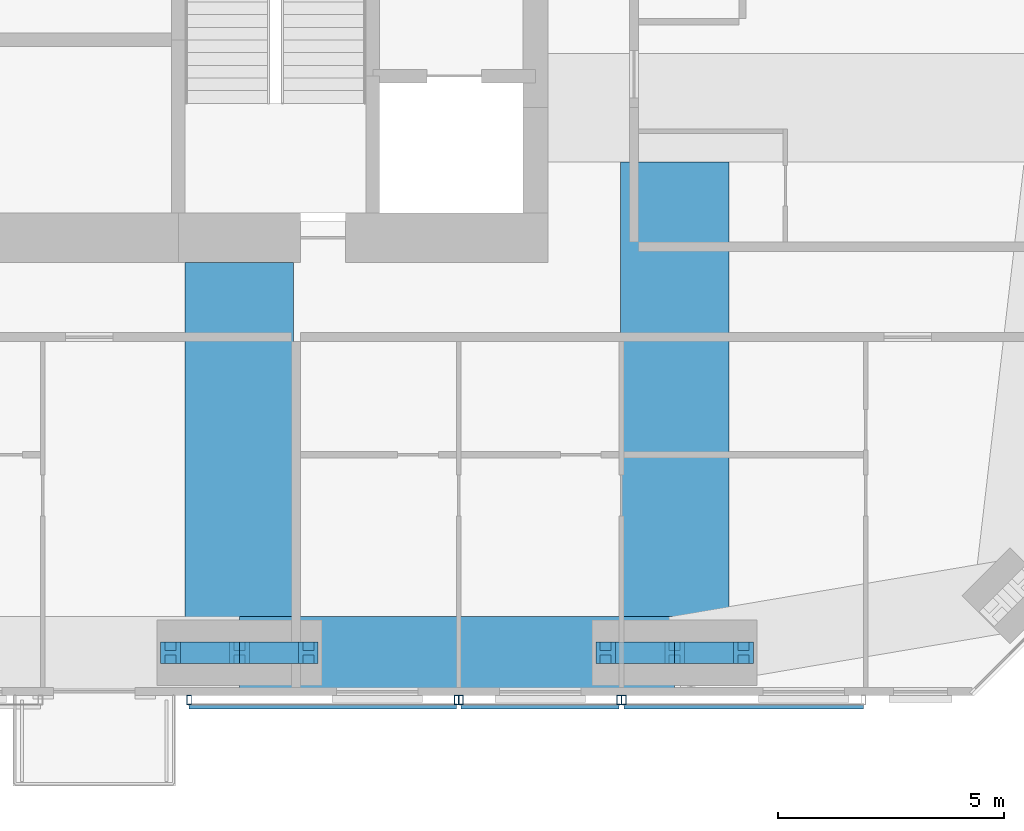
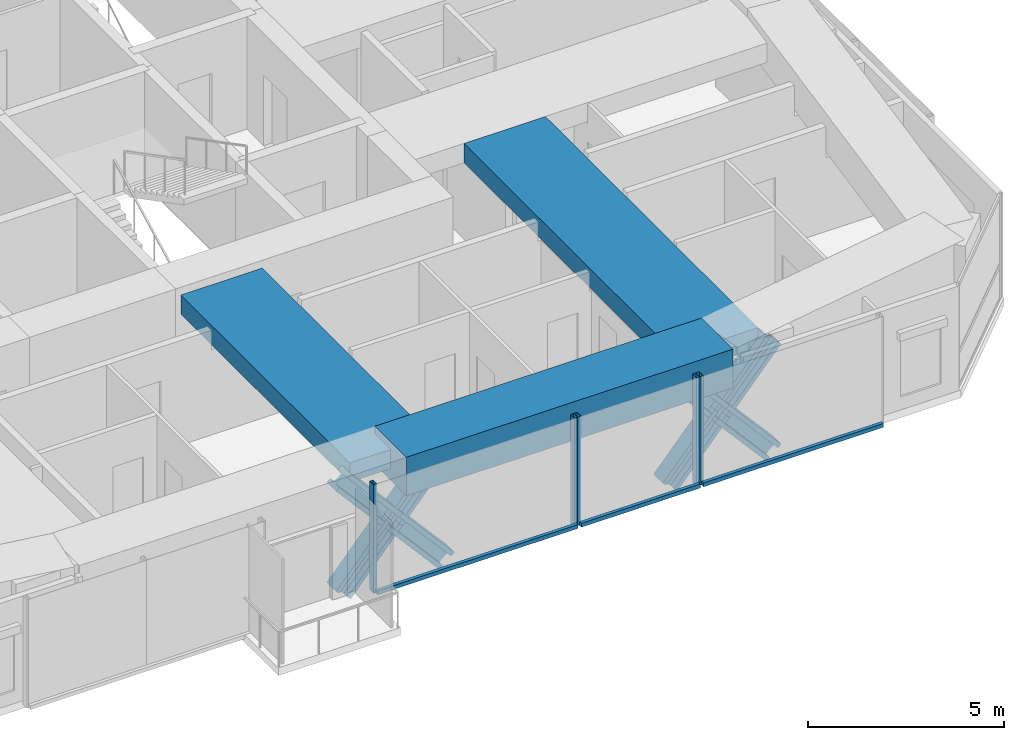
# One storey, part 4 of 18: 16 members, 3 beams, 3 elements without a shape of their own.
"""IFC4 building model written with IfcOpenShell, lengths in metres."""

import ifcopenshell
import ifcopenshell.guid

model = None  # the IFC model being written
_history = None  # IfcOwnerHistory: only IFC2X3 demands one
_inside = {}  # id of a spatial element -> (the spatial element, [elements in it])
_under = {}  # id of a project, library or spatial element -> (it, [spatial elements below it])
_declared = {}  # id of a project -> (the project, [libraries it declares])
_typed = {}  # id of a type object -> (the type object, [elements of that type])
_made_of = {}  # id of a material, layer set ... -> (it, [elements and type objects made of it])


def new_model(schema):
    """Start an empty IFC model of exactly this schema.

    Asked for "IFC4X3", IfcOpenShell would pick the latest addendum, in which some entities
    have other attributes; the version numbers below select the first issue.
    IFC2X3 requires an IfcOwnerHistory on every rooted entity: one is made here for all.
    """
    global model, _history
    if schema == "IFC4X3":
        model = ifcopenshell.file(schema_version=(4, 3, 0, 0))
    else:
        model = ifcopenshell.file(schema=schema)
    _inside.clear()
    _under.clear()
    _declared.clear()
    _typed.clear()
    _made_of.clear()
    _history = None
    if model.schema == "IFC2X3":
        org = make("IfcOrganization", Name="unknown")
        user = make(
            "IfcPersonAndOrganization",
            ThePerson=make("IfcPerson", FamilyName="unknown"),
            TheOrganization=org,
        )
        app = make(
            "IfcApplication",
            ApplicationDeveloper=org,
            Version="unknown",
            ApplicationFullName="unknown",
            ApplicationIdentifier="unknown",
        )
        _history = make(
            "IfcOwnerHistory",
            OwningUser=user,
            OwningApplication=app,
            ChangeAction="ADDED",
            CreationDate=0,
        )
    return model


def make(cls, **values):
    """One entity of the class cls with the attributes given. An attribute that is None is left unset."""
    return model.create_entity(
        cls, **{name: value for name, value in values.items() if value is not None}
    )


def rooted(cls, **values):
    """An entity with a GlobalId (a new one), such as an element, a storey or a relation."""
    return make(cls, GlobalId=ifcopenshell.guid.new(), OwnerHistory=_history, **values)


def si_unit(unit_type, name, prefix=None):
    """IfcSIUnit, for example si_unit("LENGTHUNIT", "METRE", prefix="MILLI")."""
    return make("IfcSIUnit", UnitType=unit_type, Prefix=prefix, Name=name)


def assignment(units):
    """IfcUnitAssignment: the units of a project."""
    return None if units is None else make("IfcUnitAssignment", Units=units)


def point(xyz):
    """IfcCartesianPoint."""
    return None if xyz is None else make("IfcCartesianPoint", Coordinates=xyz)


def direction(xyz):
    """IfcDirection."""
    return None if xyz is None else make("IfcDirection", DirectionRatios=xyz)


def frame(location, z_axis=None, x_axis=None):
    """IfcAxis2Placement3D, a coordinate frame: its origin and axes. An axis left out is left unset."""
    return make(
        "IfcAxis2Placement3D",
        Location=point(location),
        Axis=direction(z_axis),
        RefDirection=direction(x_axis),
    )


def frame_2d(location, x_axis=None):
    """IfcAxis2Placement2D, a coordinate frame in the plane: its origin and x axis."""
    return make(
        "IfcAxis2Placement2D", Location=point(location), RefDirection=direction(x_axis)
    )


def origin():
    """The frame at (0, 0, 0) with its axes left unset."""
    return frame((0.0, 0.0, 0.0))


def origin_2d():
    """The frame at (0, 0) in the plane with its x axis left unset."""
    return frame_2d((0.0, 0.0))


def place(relative_to, where):
    """IfcLocalPlacement: puts the frame where relative to a parent placement (None: the world)."""
    return make(
        "IfcLocalPlacement", PlacementRelTo=relative_to, RelativePlacement=where
    )


def context(
    kind, dimensions, precision=None, world=None, true_north=None, identifier=None
):
    """IfcGeometricRepresentationContext, for example the 3D "Model" context."""
    return make(
        "IfcGeometricRepresentationContext",
        ContextIdentifier=identifier,
        ContextType=kind,
        CoordinateSpaceDimension=dimensions,
        Precision=precision,
        WorldCoordinateSystem=world,
        TrueNorth=true_north,
    )


def subcontext(parent, identifier, kind, view, scale=None):
    """IfcGeometricRepresentationSubContext, for example "Body" below "Model"."""
    return make(
        "IfcGeometricRepresentationSubContext",
        ContextIdentifier=identifier,
        ContextType=kind,
        ParentContext=parent,
        TargetScale=scale,
        TargetView=view,
    )


def project(units=None, contexts=None):
    """IfcProject with its units and contexts."""
    return rooted(
        "IfcProject",
        Name="project",
        RepresentationContexts=contexts,
        UnitsInContext=assignment(units),
    )


def spatial(cls, under=None, at=None, **own):
    """A site, building, storey or space (cls), placed at a placement, below another one or the project."""
    s = rooted(cls, ObjectPlacement=at, **own)
    if under is not None:
        _under.setdefault(under.id(), (under, []))[1].append(s)
    return s


def profile(cls, at=None, kind="AREA", **sizes):
    """A parametric profile (cls). Its sizes go by their IFC names, for example OverallWidth=200.0."""
    return make(cls, ProfileType=kind, Position=at, **sizes)


def rectangle(**sizes):
    """IfcRectangleProfileDef."""
    return profile("IfcRectangleProfileDef", **sizes)


def hollow_rectangle(**sizes):
    """IfcRectangleHollowProfileDef."""
    return profile("IfcRectangleHollowProfileDef", **sizes)


def i_section(**sizes):
    """IfcIShapeProfileDef."""
    return profile("IfcIShapeProfileDef", **sizes)


def extrude(swept, where, along, depth):
    """IfcExtrudedAreaSolid: the profile swept, set in the frame where, extruded along a direction by depth."""
    return make(
        "IfcExtrudedAreaSolid",
        SweptArea=swept,
        Position=where,
        ExtrudedDirection=direction(along),
        Depth=depth,
    )


def shape(context_of_items, identifier, shape_type, items):
    """IfcShapeRepresentation: the items that make up one representation, for example the "Body"."""
    return make(
        "IfcShapeRepresentation",
        ContextOfItems=context_of_items,
        RepresentationIdentifier=identifier,
        RepresentationType=shape_type,
        Items=items,
    )


def material(Name=None, Category=None):
    """IfcMaterial."""
    return make("IfcMaterial", Name=Name, Category=Category)


def material_profile(
    of_material, cross_section, Name=None, Category=None, Priority=None
):
    """IfcMaterialProfile: a cross section and its material."""
    return make(
        "IfcMaterialProfile",
        Name=Name,
        Material=of_material,
        Profile=cross_section,
        Priority=Priority,
        Category=Category,
    )


def profile_set(profiles, Name=None, composite=None):
    """IfcMaterialProfileSet."""
    return make(
        "IfcMaterialProfileSet",
        Name=Name,
        MaterialProfiles=profiles,
        CompositeProfile=composite,
    )


def made_of(thing, what):
    """Note that an element or type object is made of a material, layer set ...; save() writes the relation."""
    if what is not None:
        _made_of.setdefault(what.id(), (what, []))[1].append(thing)
    return thing


def type_object(cls, material=None, **own):
    """A type object (cls), such as IfcWallType, which elements share."""
    return made_of(rooted(cls, **own), material)


def element(
    cls,
    number,
    at=None,
    inside=None,
    cuts=None,
    type_object=None,
    material=None,
    context=None,
    identifier="Body",
    shape_type=None,
    held_by="IfcProductDefinitionShape",
    body=None,
    shapes=None,
    **own,
):
    """One element of the class cls, such as IfcWall. Its Tag is "e" and its number.

    at: its placement. inside: the storey or other place that contains it. cuts: it is an
    opening in that element (IfcRelVoidsElement). A single representation is given by context,
    identifier, shape_type and body (its items); several are given by shapes. held_by: the class
    of the entity that holds the representations. save() writes the other relations.
    """
    e = rooted(cls, Tag="e%d" % number, ObjectPlacement=at, **own)
    if body is not None:
        shapes = [shape(context, identifier, shape_type, body)]
    if shapes is not None:
        e.Representation = make(held_by, Representations=shapes)
    if inside is not None:
        _inside.setdefault(inside.id(), (inside, []))[1].append(e)
    if cuts is not None:
        rooted(
            "IfcRelVoidsElement", RelatingBuildingElement=cuts, RelatedOpeningElement=e
        )
    if type_object is not None:
        _typed.setdefault(type_object.id(), (type_object, []))[1].append(e)
    return made_of(e, material)


def aggregate(whole, parts):
    """IfcRelAggregates: a whole, such as a stair, and the parts it consists of."""
    return rooted("IfcRelAggregates", RelatingObject=whole, RelatedObjects=parts)


def save(model, path):
    """Write the relations noted so far, then the file.

    IfcRelAggregates (storeys below a building ...), IfcRelContainedInSpatialStructure (elements
    in a storey), IfcRelDefinesByType, IfcRelAssociatesMaterial and IfcRelDeclares: one each for
    every whole, place, type object, material and project.
    """
    for whole, parts in _under.values():
        aggregate(whole, parts)
    for where, things in _inside.values():
        rooted(
            "IfcRelContainedInSpatialStructure",
            RelatedElements=things,
            RelatingStructure=where,
        )
    for kind, things in _typed.values():
        rooted("IfcRelDefinesByType", RelatedObjects=things, RelatingType=kind)
    for what, things in _made_of.values():
        rooted("IfcRelAssociatesMaterial", RelatedObjects=things, RelatingMaterial=what)
    for by, libraries in _declared.values():
        rooted("IfcRelDeclares", RelatingContext=by, RelatedDefinitions=libraries)
    model.write(path)


model = new_model("IFC4")

# Units and contexts
model_context = context("Model", 3, precision=1e-05, world=origin(), true_north=direction((0.0, 1.0)))
body_context = subcontext(model_context, "Body", "Model", "MODEL_VIEW")
ifc_project = project(units=[si_unit("LENGTHUNIT", "METRE"), si_unit("AREAUNIT", "SQUARE_METRE"), si_unit("VOLUMEUNIT", "CUBIC_METRE"), si_unit("PLANEANGLEUNIT", "RADIAN"), si_unit("MASSUNIT", "GRAM", prefix="KILO")], contexts=[model_context])

# Site, building, storey
site_placement = place(None, origin())
site = spatial("IfcSite", under=ifc_project, at=site_placement, CompositionType="ELEMENT")
building_placement = place(site_placement, origin())
building = spatial("IfcBuilding", under=site, at=building_placement, Name="Jalousie Tower", CompositionType="ELEMENT")
storey_placement = place(building_placement, frame((0.0, 0.0, 231.949951171875)))
storey = spatial("IfcBuildingStorey", under=building, at=storey_placement, Name="L63", CompositionType="ELEMENT", Elevation=231.949951171875)

# Members
ifc_material_1 = material(Name="Steel ASTM A992 Grade 50", Category="steel")
ifc_material_profile_1 = material_profile(ifc_material_1, i_section(OverallWidth=0.472412109375, OverallDepth=0.5791015625, WebThickness=0.094970703125, FlangeThickness=0.1298828125, at=origin_2d()), Name="W14X808")
ifc_profile_set_1 = profile_set([ifc_material_profile_1], Name="Steel ASTM A992 Grade 50")
member_type_1 = type_object("IfcMemberType", Name="PERIMETER BRACE W14X808", PredefinedType="BRACE", material=ifc_profile_set_1)
for number, where, z_axis, x_axis, name in (
    (1, (35.72509765625, 0.949951171875, -0.599853515625), (0.65695436777, 0.0, 0.753930340726), (0.0, 1.0, 0.0), "Perimeter brace 03 L63 part 1"),
    (2, (37.25, 0.949951171875, 1.150146484375), (0.65695436777, 0.0, 0.753930340726), (0.0, 1.0, 0.0), "Perimeter brace 03 L63 part 2"),
    (3, (38.77490234375, 0.949951171875, -0.599853515625), (-0.65695436777, 0.0, 0.753930340726), (0.0, -1.0, 0.0), "Perimeter brace 03 L63 part 3"),
    (4, (37.25, 0.949951171875, 1.150146484375), (-0.65695436777, 0.0, 0.753930340726), (0.0, -1.0, 0.0), "Perimeter brace 03 L63 part 4"),
    (5, (45.35009765625, 0.949951171875, -0.599853515625), (0.65695436777, 0.0, 0.753930340726), (0.0, 1.0, 0.0), "Perimeter brace 04 L63 part 1"),
    (6, (46.875, 0.949951171875, 1.150146484375), (0.65695436777, 0.0, 0.753930340726), (0.0, 1.0, 0.0), "Perimeter brace 04 L63 part 2"),
    (7, (48.39990234375, 0.949951171875, -0.599853515625), (-0.65695436777, 0.0, 0.753930340726), (0.0, -1.0, 0.0), "Perimeter brace 04 L63 part 3"),
    (8, (46.875, 0.949951171875, 1.150146484375), (-0.65695436777, 0.0, 0.753930340726), (0.0, -1.0, 0.0), "Perimeter brace 04 L63 part 4"),
):
    element("IfcMember", number, at=place(storey_placement, frame(where, z_axis=z_axis, x_axis=x_axis)), inside=storey, type_object=member_type_1, Name=name, PredefinedType="BRACE", context=body_context, shape_type="SweptSolid", body=[
        extrude(i_section(OverallWidth=0.472412109375, OverallDepth=0.5791015625, WebThickness=0.094970703125, FlangeThickness=0.1298828125, at=origin_2d()), origin(), (0.0, 0.0, 1.0), 2.3212890625),
    ])

# Beams
ifc_material_2 = material(Name="Concrete f'c 40 MPa", Category="concrete")
ifc_material_profile_2 = material_profile(ifc_material_2, rectangle(XDim=1.60009765625, YDim=1.199951171875, at=origin_2d()), Name="RC 1600x1200")
ifc_profile_set_2 = profile_set([ifc_material_profile_2], Name="Concrete f'c 40 MPa")
beam_type_1 = type_object("IfcBeamType", Name="RC BEAM 1600x1200", PredefinedType="BEAM", material=ifc_profile_set_2)
beam_1_placement = place(storey_placement, frame((37.25, 0.949951171875, 2.900146484375), z_axis=(1.0, 0.0, 0.0), x_axis=(0.0, 1.0, 0.0)))
element("IfcBeam", 9, at=beam_1_placement, inside=storey, type_object=beam_type_1, Name="Edge band beam 03-04 under L64", PredefinedType="BEAM", context=body_context, shape_type="SweptSolid", body=[
    extrude(rectangle(XDim=1.60009765625, YDim=1.199951171875, at=origin_2d()), origin(), (0.0, 0.0, 1.0), 9.625),
])
ifc_material_3 = material(Name="Concrete f'c 40 MPa", Category="concrete")
ifc_material_profile_3 = material_profile(ifc_material_3, rectangle(XDim=2.39990234375, YDim=0.60009765625, at=origin_2d()), Name="RC 2400x600")
ifc_profile_set_3 = profile_set([ifc_material_profile_3], Name="Concrete f'c 40 MPa")
beam_type_2 = type_object("IfcBeamType", Name="RC BEAM 2400x600", PredefinedType="BEAM", material=ifc_profile_set_3)
beam_2_placement = place(storey_placement, frame((37.25, 0.949951171875, 2.9599609375), z_axis=(0.0, 1.0, 0.0), x_axis=(-1.0, 0.0, 0.0)))
element("IfcBeam", 10, at=beam_2_placement, inside=storey, type_object=beam_type_2, Name="Floor band beam under L64", PredefinedType="BEAM", context=body_context, shape_type="SweptSolid", body=[
    extrude(rectangle(XDim=2.39990234375, YDim=0.60009765625, at=origin_2d()), origin(), (0.0, 0.0, 1.0), 8.625),
])
beam_3_placement = place(storey_placement, frame((46.875, 0.949951171875, 2.9599609375), z_axis=(0.0, 1.0, 0.0), x_axis=(-1.0, 0.0, 0.0)))
element("IfcBeam", 11, at=beam_3_placement, inside=storey, type_object=beam_type_2, Name="Floor band beam under L64", PredefinedType="BEAM", context=body_context, shape_type="SweptSolid", body=[
    extrude(rectangle(XDim=2.39990234375, YDim=0.60009765625, at=origin_2d()), origin(), (0.0, 0.0, 1.0), 10.85009765625),
])

# Curtain wall, members
ifc_material_4 = material(Name="Perforated aluminium sheet", Category="aluminium")
curtain_wall_type = type_object("IfcCurtainWallType", Name="SOLAR SCREEN SS-2", PredefinedType="USERDEFINED", material=ifc_material_4)
curtain_wall_1_placement = place(storey_placement, origin())
curtain_wall_1 = element("IfcCurtainWall", 12, at=curtain_wall_1_placement, inside=storey, type_object=curtain_wall_type, Name="Solar screen L63", ObjectType="SOLAR SCREEN SS-2", PredefinedType="USERDEFINED")
ifc_material_5 = material(Name="Steel ASTM A500 Grade C", Category="steel")
ifc_material_profile_4 = material_profile(ifc_material_5, hollow_rectangle(XDim=0.1015625, YDim=0.203125, WallThickness=0.0078125, at=origin_2d()), Name="HSS8X4X5/16")
ifc_profile_set_4 = profile_set([ifc_material_profile_4], Name="Steel ASTM A500 Grade C")
member_type_2 = type_object("IfcMemberType", Name="SOLAR SCREEN SS-2 MULLION", PredefinedType="MULLION", material=ifc_profile_set_4)
member_1_placement = place(storey_placement, frame((36.139892578125, -0.0966796875, -0.119873046875), z_axis=(0.0, 0.0, 1.0), x_axis=(1.0, 0.0, 0.0)))
member_1 = element("IfcMember", 13, at=member_1_placement, type_object=member_type_2, Name="SS2 post 1", PredefinedType="MULLION", context=body_context, shape_type="SweptSolid", body=[
    extrude(hollow_rectangle(XDim=0.1015625, YDim=0.203125, WallThickness=0.0078125, at=origin_2d()), origin(), (0.0, 0.0, 1.0), 3.3798828125),
])
member_2_placement = place(storey_placement, frame((42.050048828125, -0.0966796875, -0.119873046875), z_axis=(0.0, 0.0, 1.0), x_axis=(1.0, 0.0, 0.0)))
member_2 = element("IfcMember", 14, at=member_2_placement, type_object=member_type_2, Name="SS2 post 2", PredefinedType="MULLION", context=body_context, shape_type="SweptSolid", body=[
    extrude(hollow_rectangle(XDim=0.1015625, YDim=0.203125, WallThickness=0.0078125, at=origin_2d()), origin(), (0.0, 0.0, 1.0), 3.3798828125),
])

curtain_wall_2_placement = place(storey_placement, origin())
curtain_wall_2 = element("IfcCurtainWall", 15, at=curtain_wall_2_placement, inside=storey, type_object=curtain_wall_type, Name="Solar screen L63", ObjectType="SOLAR SCREEN SS-2", PredefinedType="USERDEFINED")
member_3_placement = place(storey_placement, frame((42.14990234375, -0.0966796875, -0.119873046875), z_axis=(0.0, 0.0, 1.0), x_axis=(1.0, 0.0, 0.0)))
member_3 = element("IfcMember", 16, at=member_3_placement, type_object=member_type_2, Name="SS2 post 1", PredefinedType="MULLION", context=body_context, shape_type="SweptSolid", body=[
    extrude(hollow_rectangle(XDim=0.1015625, YDim=0.203125, WallThickness=0.0078125, at=origin_2d()), origin(), (0.0, 0.0, 1.0), 3.3798828125),
])
member_4_placement = place(storey_placement, frame((45.64990234375, -0.0966796875, -0.119873046875), z_axis=(0.0, 0.0, 1.0), x_axis=(1.0, 0.0, 0.0)))
member_4 = element("IfcMember", 17, at=member_4_placement, type_object=member_type_2, Name="SS2 post 2", PredefinedType="MULLION", context=body_context, shape_type="SweptSolid", body=[
    extrude(hollow_rectangle(XDim=0.1015625, YDim=0.203125, WallThickness=0.0078125, at=origin_2d()), origin(), (0.0, 0.0, 1.0), 3.3798828125),
])

# Curtain wall, member
curtain_wall_3_placement = place(storey_placement, origin())
curtain_wall_3 = element("IfcCurtainWall", 18, at=curtain_wall_3_placement, inside=storey, type_object=curtain_wall_type, Name="Solar screen L63", ObjectType="SOLAR SCREEN SS-2", PredefinedType="USERDEFINED")
member_5_placement = place(storey_placement, frame((45.75, -0.0966796875, -0.119873046875), z_axis=(0.0, 0.0, 1.0), x_axis=(1.0, 0.0, 0.0)))
member_5 = element("IfcMember", 19, at=member_5_placement, type_object=member_type_2, Name="SS2 post 1", PredefinedType="MULLION", context=body_context, shape_type="SweptSolid", body=[
    extrude(hollow_rectangle(XDim=0.1015625, YDim=0.203125, WallThickness=0.0078125, at=origin_2d()), origin(), (0.0, 0.0, 1.0), 3.3798828125),
])

# Member
ifc_material_6 = material(Name="Extruded aluminium screen rail", Category="aluminium")
ifc_material_profile_5 = material_profile(ifc_material_6, rectangle(XDim=0.1015625, YDim=0.1201171875, at=origin_2d()), Name="RAIL 102x120")
ifc_profile_set_5 = profile_set([ifc_material_profile_5], Name="Extruded aluminium screen rail")
member_type_3 = type_object("IfcMemberType", Name="SOLAR SCREEN SS-2 TRANSOM", PredefinedType="USERDEFINED", material=ifc_profile_set_5)
member_6_placement = place(storey_placement, frame((36.139892578125, -0.2490234375, -0.06005859375), z_axis=(1.0, 0.0, 0.0), x_axis=(0.0, 1.0, 0.0)))
member_6 = element("IfcMember", 20, at=member_6_placement, type_object=member_type_3, Name="SS2 rail", ObjectType="TRANSOM", PredefinedType="USERDEFINED", context=body_context, shape_type="SweptSolid", body=[
    extrude(rectangle(XDim=0.1015625, YDim=0.1201171875, at=origin_2d()), origin(), (0.0, 0.0, 1.0), 5.91015625),
])

aggregate(curtain_wall_1, [member_1, member_2, member_6])

member_7_placement = place(storey_placement, frame((42.14990234375, -0.2490234375, -0.06005859375), z_axis=(1.0, 0.0, 0.0), x_axis=(0.0, 1.0, 0.0)))
member_7 = element("IfcMember", 21, at=member_7_placement, type_object=member_type_3, Name="SS2 rail", ObjectType="TRANSOM", PredefinedType="USERDEFINED", context=body_context, shape_type="SweptSolid", body=[
    extrude(rectangle(XDim=0.1015625, YDim=0.1201171875, at=origin_2d()), origin(), (0.0, 0.0, 1.0), 3.5),
])

aggregate(curtain_wall_2, [member_3, member_4, member_7])

member_8_placement = place(storey_placement, frame((45.75, -0.2490234375, -0.06005859375), z_axis=(1.0, 0.0, 0.0), x_axis=(0.0, 1.0, 0.0)))
member_8 = element("IfcMember", 22, at=member_8_placement, type_object=member_type_3, Name="SS2 rail", ObjectType="TRANSOM", PredefinedType="USERDEFINED", context=body_context, shape_type="SweptSolid", body=[
    extrude(rectangle(XDim=0.1015625, YDim=0.1201171875, at=origin_2d()), origin(), (0.0, 0.0, 1.0), 5.300048828125),
])

aggregate(curtain_wall_3, [member_5, member_8])

save(model, "model.ifc")
